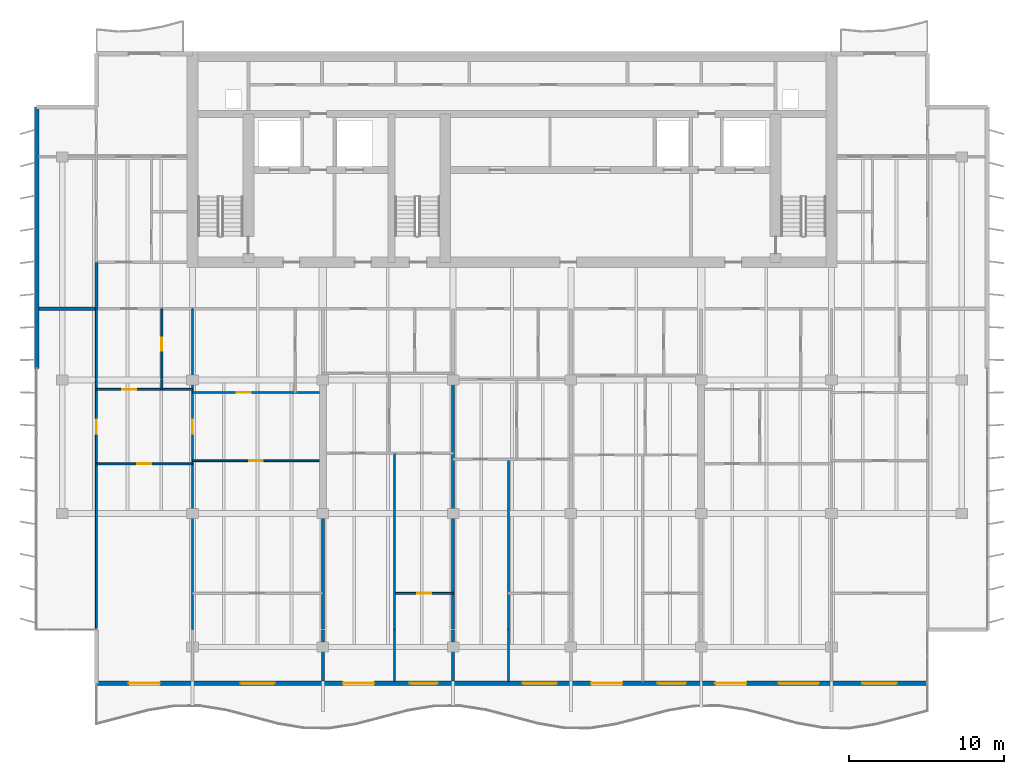
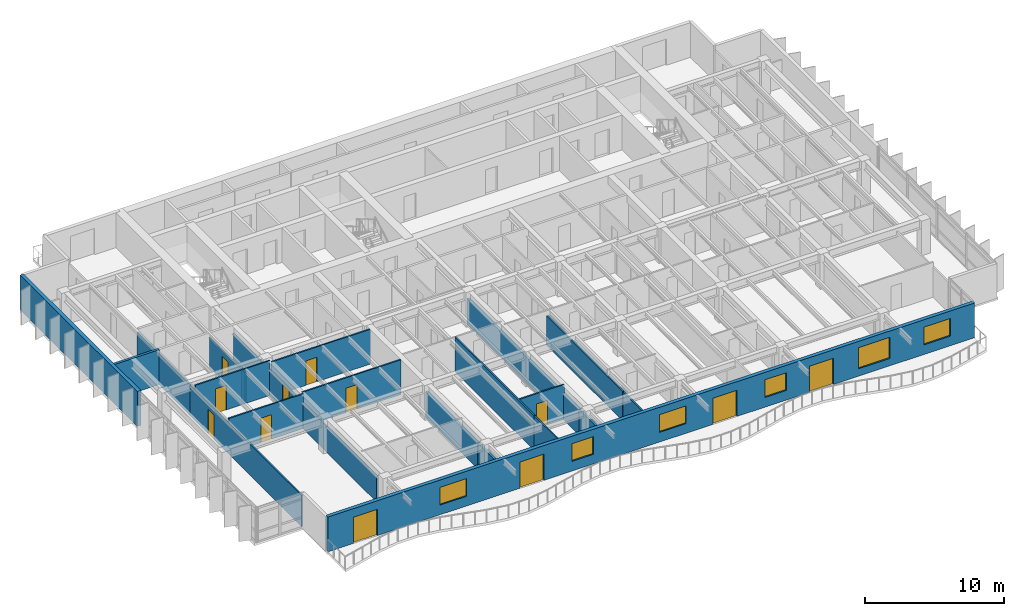
# One storey, part 6 of 16: 23 walls, 12 doors, 6 windows, 18 openings.
"""IFC4 building model written with IfcOpenShell, lengths in metres."""

import ifcopenshell
import ifcopenshell.guid

model = None  # the IFC model being written
_history = None  # IfcOwnerHistory: only IFC2X3 demands one
_inside = {}  # id of a spatial element -> (the spatial element, [elements in it])
_under = {}  # id of a project, library or spatial element -> (it, [spatial elements below it])
_declared = {}  # id of a project -> (the project, [libraries it declares])
_typed = {}  # id of a type object -> (the type object, [elements of that type])
_made_of = {}  # id of a material, layer set ... -> (it, [elements and type objects made of it])


def new_model(schema):
    """Start an empty IFC model of exactly this schema.

    Asked for "IFC4X3", IfcOpenShell would pick the latest addendum, in which some entities
    have other attributes; the version numbers below select the first issue.
    IFC2X3 requires an IfcOwnerHistory on every rooted entity: one is made here for all.
    """
    global model, _history
    if schema == "IFC4X3":
        model = ifcopenshell.file(schema_version=(4, 3, 0, 0))
    else:
        model = ifcopenshell.file(schema=schema)
    _inside.clear()
    _under.clear()
    _declared.clear()
    _typed.clear()
    _made_of.clear()
    _history = None
    if model.schema == "IFC2X3":
        org = make("IfcOrganization", Name="unknown")
        user = make(
            "IfcPersonAndOrganization",
            ThePerson=make("IfcPerson", FamilyName="unknown"),
            TheOrganization=org,
        )
        app = make(
            "IfcApplication",
            ApplicationDeveloper=org,
            Version="unknown",
            ApplicationFullName="unknown",
            ApplicationIdentifier="unknown",
        )
        _history = make(
            "IfcOwnerHistory",
            OwningUser=user,
            OwningApplication=app,
            ChangeAction="ADDED",
            CreationDate=0,
        )
    return model


def make(cls, **values):
    """One entity of the class cls with the attributes given. An attribute that is None is left unset."""
    return model.create_entity(
        cls, **{name: value for name, value in values.items() if value is not None}
    )


def rooted(cls, **values):
    """An entity with a GlobalId (a new one), such as an element, a storey or a relation."""
    return make(cls, GlobalId=ifcopenshell.guid.new(), OwnerHistory=_history, **values)


def si_unit(unit_type, name, prefix=None):
    """IfcSIUnit, for example si_unit("LENGTHUNIT", "METRE", prefix="MILLI")."""
    return make("IfcSIUnit", UnitType=unit_type, Prefix=prefix, Name=name)


def assignment(units):
    """IfcUnitAssignment: the units of a project."""
    return None if units is None else make("IfcUnitAssignment", Units=units)


def point(xyz):
    """IfcCartesianPoint."""
    return None if xyz is None else make("IfcCartesianPoint", Coordinates=xyz)


def direction(xyz):
    """IfcDirection."""
    return None if xyz is None else make("IfcDirection", DirectionRatios=xyz)


def frame(location, z_axis=None, x_axis=None):
    """IfcAxis2Placement3D, a coordinate frame: its origin and axes. An axis left out is left unset."""
    return make(
        "IfcAxis2Placement3D",
        Location=point(location),
        Axis=direction(z_axis),
        RefDirection=direction(x_axis),
    )


def frame_2d(location, x_axis=None):
    """IfcAxis2Placement2D, a coordinate frame in the plane: its origin and x axis."""
    return make(
        "IfcAxis2Placement2D", Location=point(location), RefDirection=direction(x_axis)
    )


def origin():
    """The frame at (0, 0, 0) with its axes left unset."""
    return frame((0.0, 0.0, 0.0))


def place(relative_to, where):
    """IfcLocalPlacement: puts the frame where relative to a parent placement (None: the world)."""
    return make(
        "IfcLocalPlacement", PlacementRelTo=relative_to, RelativePlacement=where
    )


def context(
    kind, dimensions, precision=None, world=None, true_north=None, identifier=None
):
    """IfcGeometricRepresentationContext, for example the 3D "Model" context."""
    return make(
        "IfcGeometricRepresentationContext",
        ContextIdentifier=identifier,
        ContextType=kind,
        CoordinateSpaceDimension=dimensions,
        Precision=precision,
        WorldCoordinateSystem=world,
        TrueNorth=true_north,
    )


def subcontext(parent, identifier, kind, view, scale=None):
    """IfcGeometricRepresentationSubContext, for example "Body" below "Model"."""
    return make(
        "IfcGeometricRepresentationSubContext",
        ContextIdentifier=identifier,
        ContextType=kind,
        ParentContext=parent,
        TargetScale=scale,
        TargetView=view,
    )


def project(units=None, contexts=None):
    """IfcProject with its units and contexts."""
    return rooted(
        "IfcProject",
        Name="project",
        RepresentationContexts=contexts,
        UnitsInContext=assignment(units),
    )


def spatial(cls, under=None, at=None, **own):
    """A site, building, storey or space (cls), placed at a placement, below another one or the project."""
    s = rooted(cls, ObjectPlacement=at, **own)
    if under is not None:
        _under.setdefault(under.id(), (under, []))[1].append(s)
    return s


def profile(cls, at=None, kind="AREA", **sizes):
    """A parametric profile (cls). Its sizes go by their IFC names, for example OverallWidth=200.0."""
    return make(cls, ProfileType=kind, Position=at, **sizes)


def rectangle(**sizes):
    """IfcRectangleProfileDef."""
    return profile("IfcRectangleProfileDef", **sizes)


def extrude(swept, where, along, depth):
    """IfcExtrudedAreaSolid: the profile swept, set in the frame where, extruded along a direction by depth."""
    return make(
        "IfcExtrudedAreaSolid",
        SweptArea=swept,
        Position=where,
        ExtrudedDirection=direction(along),
        Depth=depth,
    )


def shape(context_of_items, identifier, shape_type, items):
    """IfcShapeRepresentation: the items that make up one representation, for example the "Body"."""
    return make(
        "IfcShapeRepresentation",
        ContextOfItems=context_of_items,
        RepresentationIdentifier=identifier,
        RepresentationType=shape_type,
        Items=items,
    )


def material(Name=None, Category=None):
    """IfcMaterial."""
    return make("IfcMaterial", Name=Name, Category=Category)


def layer(
    of_material, thickness, ventilated=None, Name=None, Category=None, Priority=None
):
    """IfcMaterialLayer: one layer of a wall or slab, of a material (None: an air gap)."""
    return make(
        "IfcMaterialLayer",
        Material=of_material,
        LayerThickness=thickness,
        IsVentilated=ventilated,
        Name=Name,
        Category=Category,
        Priority=Priority,
    )


def layer_set(layers, Name=None):
    """IfcMaterialLayerSet."""
    return make("IfcMaterialLayerSet", MaterialLayers=layers, LayerSetName=Name)


def made_of(thing, what):
    """Note that an element or type object is made of a material, layer set ...; save() writes the relation."""
    if what is not None:
        _made_of.setdefault(what.id(), (what, []))[1].append(thing)
    return thing


def type_object(cls, material=None, **own):
    """A type object (cls), such as IfcWallType, which elements share."""
    return made_of(rooted(cls, **own), material)


def element(
    cls,
    number,
    at=None,
    inside=None,
    cuts=None,
    type_object=None,
    material=None,
    context=None,
    identifier="Body",
    shape_type=None,
    held_by="IfcProductDefinitionShape",
    body=None,
    shapes=None,
    **own,
):
    """One element of the class cls, such as IfcWall. Its Tag is "e" and its number.

    at: its placement. inside: the storey or other place that contains it. cuts: it is an
    opening in that element (IfcRelVoidsElement). A single representation is given by context,
    identifier, shape_type and body (its items); several are given by shapes. held_by: the class
    of the entity that holds the representations. save() writes the other relations.
    """
    e = rooted(cls, Tag="e%d" % number, ObjectPlacement=at, **own)
    if body is not None:
        shapes = [shape(context, identifier, shape_type, body)]
    if shapes is not None:
        e.Representation = make(held_by, Representations=shapes)
    if inside is not None:
        _inside.setdefault(inside.id(), (inside, []))[1].append(e)
    if cuts is not None:
        rooted(
            "IfcRelVoidsElement", RelatingBuildingElement=cuts, RelatedOpeningElement=e
        )
    if type_object is not None:
        _typed.setdefault(type_object.id(), (type_object, []))[1].append(e)
    return made_of(e, material)


def fill(opening, filler):
    """IfcRelFillsElement: the door or window that sits in an opening."""
    return rooted(
        "IfcRelFillsElement",
        RelatingOpeningElement=opening,
        RelatedBuildingElement=filler,
    )


def aggregate(whole, parts):
    """IfcRelAggregates: a whole, such as a stair, and the parts it consists of."""
    return rooted("IfcRelAggregates", RelatingObject=whole, RelatedObjects=parts)


def save(model, path):
    """Write the relations noted so far, then the file.

    IfcRelAggregates (storeys below a building ...), IfcRelContainedInSpatialStructure (elements
    in a storey), IfcRelDefinesByType, IfcRelAssociatesMaterial and IfcRelDeclares: one each for
    every whole, place, type object, material and project.
    """
    for whole, parts in _under.values():
        aggregate(whole, parts)
    for where, things in _inside.values():
        rooted(
            "IfcRelContainedInSpatialStructure",
            RelatedElements=things,
            RelatingStructure=where,
        )
    for kind, things in _typed.values():
        rooted("IfcRelDefinesByType", RelatedObjects=things, RelatingType=kind)
    for what, things in _made_of.values():
        rooted("IfcRelAssociatesMaterial", RelatedObjects=things, RelatingMaterial=what)
    for by, libraries in _declared.values():
        rooted("IfcRelDeclares", RelatingContext=by, RelatedDefinitions=libraries)
    model.write(path)


model = new_model("IFC4")

# Units and contexts
model_context = context("Model", 3, precision=1e-05, world=origin(), true_north=direction((0.0, 1.0)))
body_context = subcontext(model_context, "Body", "Model", "MODEL_VIEW")
ifc_project = project(units=[si_unit("LENGTHUNIT", "METRE"), si_unit("AREAUNIT", "SQUARE_METRE"), si_unit("VOLUMEUNIT", "CUBIC_METRE"), si_unit("PLANEANGLEUNIT", "RADIAN"), si_unit("MASSUNIT", "GRAM", prefix="KILO")], contexts=[model_context])

# Site, building, storey
site_placement = place(None, origin())
site = spatial("IfcSite", under=ifc_project, at=site_placement, CompositionType="ELEMENT")
building_placement = place(site_placement, origin())
building = spatial("IfcBuilding", under=site, at=building_placement, Name="Caelmar Bay Residences", CompositionType="ELEMENT")
storey_placement = place(building_placement, frame((0.0, 0.0, 233.10009765625)))
storey = spatial("IfcBuildingStorey", under=building, at=storey_placement, Name="L65", CompositionType="ELEMENT", Elevation=233.10009765625)

# Wall
ifc_material_1 = material(Name="Double-stud acoustic fire-rated gypsum partition 180 mm")
ifc_layer_1 = layer(ifc_material_1, 0.179931640625)
ifc_layer_set_1 = layer_set([ifc_layer_1], Name="Double-stud acoustic fire-rated gypsum partition 180 mm")
wall_type_1 = type_object("IfcWallType", Name="W-COR-200", PredefinedType="PARTITIONING", material=ifc_layer_set_1)
wall_1_placement = place(storey_placement, frame((12.10009765625, 34.0048828125, 0.0), z_axis=(0.0, 0.0, 1.0), x_axis=(0.0, 1.0, 0.0)))
element("IfcWall", 1, at=wall_1_placement, inside=storey, type_object=wall_type_1, Name="L65 Partition Wall V003", PredefinedType="PARTITIONING", context=body_context, shape_type="SweptSolid", body=[
    extrude(rectangle(XDim=2.9951171875, YDim=0.179931640625, at=frame_2d((1.49755859375, 0.0))), origin(), (0.0, 0.0, 1.0), 2.724853515625),
])

# Wall, openings, doors, windows
ifc_material_2 = material(Name="Precast concrete f'c 40 MPa (6,000 psi)", Category="concrete")
ifc_layer_2 = layer(ifc_material_2, 0.300048828125)
ifc_layer_set_2 = layer_set([ifc_layer_2], Name="Precast concrete f'c 40 MPa (6,000 psi)")
wall_type_2 = type_object("IfcWallType", Name="W-EXT-300", PredefinedType="STANDARD", material=ifc_layer_set_2)
wall_2_placement = place(storey_placement, frame((65.699951171875, 9.85009765625, 0.0), z_axis=(0.0, 0.0, 1.0), x_axis=(-1.0, 0.0, 0.0)))
wall_2 = element("IfcWall", 2, at=wall_2_placement, inside=storey, type_object=wall_type_2, Name="L65 South Bayfront Exterior Wall", PredefinedType="STANDARD", context=body_context, shape_type="SweptSolid", body=[
    extrude(rectangle(XDim=53.599853515625, YDim=0.300048828125, at=frame_2d((26.7998046875, 0.0))), origin(), (0.0, 0.0, 1.0), 3.0498046875),
])
opening_1_placement = place(wall_2_placement, frame((49.5, 0.0, 0.0)))
opening_1 = element("IfcOpeningElement", 3, at=opening_1_placement, cuts=wall_2, Name="Opening L65-BD01", PredefinedType="OPENING", context=body_context, shape_type="SweptSolid", body=[
    extrude(rectangle(XDim=2.0, YDim=2.300048828125, at=frame_2d((1.0, 1.14990234375))), frame((0.0, 0.159912109375, 0.0), z_axis=(0.0, -1.0, 0.0), x_axis=(1.0, 0.0, 0.0)), (0.0, 0.0, 1.0), 0.320068359375),
])
opening_2_placement = place(wall_2_placement, frame((42.10009765625, 0.0, 0.85009765625)))
opening_2 = element("IfcOpeningElement", 4, at=opening_2_placement, cuts=wall_2, Name="Opening WN2", PredefinedType="OPENING", context=body_context, shape_type="SweptSolid", body=[
    extrude(rectangle(XDim=2.199951171875, YDim=1.550048828125, at=frame_2d((1.10009765625, 0.77490234375))), frame((0.0, 0.159912109375, 0.0), z_axis=(0.0, -1.0, 0.0), x_axis=(1.0, 0.0, 0.0)), (0.0, 0.0, 1.0), 0.320068359375),
])
opening_3_placement = place(wall_2_placement, frame((35.68994140625, 0.0, 0.0)))
opening_3 = element("IfcOpeningElement", 5, at=opening_3_placement, cuts=wall_2, Name="Opening L65-BD02", PredefinedType="OPENING", context=body_context, shape_type="SweptSolid", body=[
    extrude(rectangle(XDim=2.0, YDim=2.300048828125, at=frame_2d((1.0, 1.14990234375))), frame((0.0, 0.159912109375, 0.0), z_axis=(0.0, -1.0, 0.0), x_axis=(1.0, 0.0, 0.0)), (0.0, 0.0, 1.0), 0.320068359375),
])
opening_4_placement = place(wall_2_placement, frame((31.590087890625, 0.0, 0.85009765625)))
opening_4 = element("IfcOpeningElement", 6, at=opening_4_placement, cuts=wall_2, Name="Opening WN1", PredefinedType="OPENING", context=body_context, shape_type="SweptSolid", body=[
    extrude(rectangle(XDim=1.800048828125, YDim=1.550048828125, at=frame_2d((0.89990234375, 0.77490234375))), frame((0.0, 0.159912109375, 0.0), z_axis=(0.0, -1.0, 0.0), x_axis=(1.0, 0.0, 0.0)), (0.0, 0.0, 1.0), 0.320068359375),
])
opening_5_placement = place(wall_2_placement, frame((23.9140625, 0.0, 0.85009765625)))
opening_5 = element("IfcOpeningElement", 7, at=opening_5_placement, cuts=wall_2, Name="Opening WN2", PredefinedType="OPENING", context=body_context, shape_type="SweptSolid", body=[
    extrude(rectangle(XDim=2.199951171875, YDim=1.550048828125, at=frame_2d((1.10009765625, 0.77490234375))), frame((0.0, 0.159912109375, 0.0), z_axis=(0.0, -1.0, 0.0), x_axis=(1.0, 0.0, 0.0)), (0.0, 0.0, 1.0), 0.320068359375),
])
opening_6_placement = place(wall_2_placement, frame((19.68994140625, 0.0, 0.0)))
opening_6 = element("IfcOpeningElement", 8, at=opening_6_placement, cuts=wall_2, Name="Opening L65-BD03", PredefinedType="OPENING", context=body_context, shape_type="SweptSolid", body=[
    extrude(rectangle(XDim=2.0, YDim=2.300048828125, at=frame_2d((1.0, 1.14990234375))), frame((0.0, 0.159912109375, 0.0), z_axis=(0.0, -1.0, 0.0), x_axis=(1.0, 0.0, 0.0)), (0.0, 0.0, 1.0), 0.320068359375),
])
opening_7_placement = place(wall_2_placement, frame((15.590087890625, 0.0, 0.85009765625)))
opening_7 = element("IfcOpeningElement", 9, at=opening_7_placement, cuts=wall_2, Name="Opening WN1", PredefinedType="OPENING", context=body_context, shape_type="SweptSolid", body=[
    extrude(rectangle(XDim=1.800048828125, YDim=1.550048828125, at=frame_2d((0.89990234375, 0.77490234375))), frame((0.0, 0.159912109375, 0.0), z_axis=(0.0, -1.0, 0.0), x_axis=(1.0, 0.0, 0.0)), (0.0, 0.0, 1.0), 0.320068359375),
])
opening_8_placement = place(wall_2_placement, frame((11.68994140625, 0.0, 0.0)))
opening_8 = element("IfcOpeningElement", 10, at=opening_8_placement, cuts=wall_2, Name="Opening L65-BD04", PredefinedType="OPENING", context=body_context, shape_type="SweptSolid", body=[
    extrude(rectangle(XDim=2.0, YDim=2.300048828125, at=frame_2d((1.0, 1.14990234375))), frame((0.0, 0.159912109375, 0.0), z_axis=(0.0, -1.0, 0.0), x_axis=(1.0, 0.0, 0.0)), (0.0, 0.0, 1.0), 0.320068359375),
])
opening_9_placement = place(wall_2_placement, frame((7.010009765625, 0.0, 0.64990234375)))
opening_9 = element("IfcOpeningElement", 11, at=opening_9_placement, cuts=wall_2, Name="Opening WN3", PredefinedType="OPENING", context=body_context, shape_type="SweptSolid", body=[
    extrude(rectangle(XDim=2.60009765625, YDim=1.85009765625, at=frame_2d((1.300048828125, 0.925048828125))), frame((0.0, 0.159912109375, 0.0), z_axis=(0.0, -1.0, 0.0), x_axis=(1.0, 0.0, 0.0)), (0.0, 0.0, 1.0), 0.320068359375),
])
opening_10_placement = place(wall_2_placement, frame((2.0, 0.0, 0.85009765625)))
opening_10 = element("IfcOpeningElement", 12, at=opening_10_placement, cuts=wall_2, Name="Opening WN2", PredefinedType="OPENING", context=body_context, shape_type="SweptSolid", body=[
    extrude(rectangle(XDim=2.199951171875, YDim=1.550048828125, at=frame_2d((1.10009765625, 0.77490234375))), frame((0.0, 0.159912109375, 0.0), z_axis=(0.0, -1.0, 0.0), x_axis=(1.0, 0.0, 0.0)), (0.0, 0.0, 1.0), 0.320068359375),
])
ifc_material_3 = material(Name="Anodised bronze thermally broken sliding glass door", Category="glass")
ifc_layer_3 = layer(ifc_material_3, 0.050048828125)
ifc_layer_set_3 = layer_set([ifc_layer_3], Name="Anodised bronze thermally broken sliding glass door")
door_type_1 = type_object("IfcDoorType", Name="D-BAL-2000", OperationType="DOUBLE_DOOR_SLIDING", PredefinedType="DOOR", material=ifc_layer_set_3)
door_1_placement = place(opening_1_placement, origin())
door_1 = element("IfcDoor", 13, at=door_1_placement, inside=storey, type_object=door_type_1, Name="L65 Residence 01 Penthouse Living Salon Balcony Door", OperationType="DOUBLE_DOOR_SLIDING", OverallHeight=2.300048828125, OverallWidth=2.0, PredefinedType="DOOR", context=body_context, shape_type="SweptSolid", body=[
    extrude(rectangle(XDim=2.0, YDim=2.300048828125, at=frame_2d((1.0, 1.14990234375))), frame((0.0, 0.02490234375, 0.0), z_axis=(0.0, -1.0, 0.0), x_axis=(1.0, 0.0, 0.0)), (0.0, 0.0, 1.0), 0.050048828125),
])
fill(opening_1, door_1)
door_2_placement = place(opening_3_placement, origin())
door_2 = element("IfcDoor", 14, at=door_2_placement, inside=storey, type_object=door_type_1, Name="L65 Residence 02 Living Room Balcony Door", OperationType="DOUBLE_DOOR_SLIDING", OverallHeight=2.300048828125, OverallWidth=2.0, PredefinedType="DOOR", context=body_context, shape_type="SweptSolid", body=[
    extrude(rectangle(XDim=2.0, YDim=2.300048828125, at=frame_2d((1.0, 1.14990234375))), frame((0.0, 0.02490234375, 0.0), z_axis=(0.0, -1.0, 0.0), x_axis=(1.0, 0.0, 0.0)), (0.0, 0.0, 1.0), 0.050048828125),
])
fill(opening_3, door_2)
door_3_placement = place(opening_6_placement, origin())
door_3 = element("IfcDoor", 15, at=door_3_placement, inside=storey, type_object=door_type_1, Name="L65 Residence 04 Living Room Balcony Door", OperationType="DOUBLE_DOOR_SLIDING", OverallHeight=2.300048828125, OverallWidth=2.0, PredefinedType="DOOR", context=body_context, shape_type="SweptSolid", body=[
    extrude(rectangle(XDim=2.0, YDim=2.300048828125, at=frame_2d((1.0, 1.14990234375))), frame((0.0, 0.02490234375, 0.0), z_axis=(0.0, -1.0, 0.0), x_axis=(1.0, 0.0, 0.0)), (0.0, 0.0, 1.0), 0.050048828125),
])
fill(opening_6, door_3)
door_4_placement = place(opening_8_placement, origin())
door_4 = element("IfcDoor", 16, at=door_4_placement, inside=storey, type_object=door_type_1, Name="L65 Residence 05 Penthouse Living Salon Balcony Door", OperationType="DOUBLE_DOOR_SLIDING", OverallHeight=2.300048828125, OverallWidth=2.0, PredefinedType="DOOR", context=body_context, shape_type="SweptSolid", body=[
    extrude(rectangle(XDim=2.0, YDim=2.300048828125, at=frame_2d((1.0, 1.14990234375))), frame((0.0, 0.02490234375, 0.0), z_axis=(0.0, -1.0, 0.0), x_axis=(1.0, 0.0, 0.0)), (0.0, 0.0, 1.0), 0.050048828125),
])
fill(opening_8, door_4)
ifc_material_4 = material(Name="Bronze aluminium frame with laminated low-E glass", Category="aluminium")
ifc_layer_4 = layer(ifc_material_4, 0.06005859375)
ifc_layer_set_4 = layer_set([ifc_layer_4], Name="Bronze aluminium frame with laminated low-E glass")
window_type_1 = type_object("IfcWindowType", Name="WIN-BR-1800", PartitioningType="SINGLE_PANEL", PredefinedType="WINDOW", material=ifc_layer_set_4)
window_1_placement = place(opening_4_placement, origin())
window_1 = element("IfcWindow", 17, at=window_1_placement, inside=storey, type_object=window_type_1, Name="L65 Residence 02 Primary Bedroom Window", OverallHeight=1.550048828125, OverallWidth=1.800048828125, PartitioningType="SINGLE_PANEL", PredefinedType="WINDOW", context=body_context, shape_type="SweptSolid", body=[
    extrude(rectangle(XDim=1.800048828125, YDim=1.550048828125, at=frame_2d((0.89990234375, 0.77490234375))), frame((0.0, 0.030029296875, 0.0), z_axis=(0.0, -1.0, 0.0), x_axis=(1.0, 0.0, 0.0)), (0.0, 0.0, 1.0), 0.06005859375),
])
fill(opening_4, window_1)
window_2_placement = place(opening_7_placement, origin())
window_2 = element("IfcWindow", 18, at=window_2_placement, inside=storey, type_object=window_type_1, Name="L65 Residence 04 Primary Bedroom Window", OverallHeight=1.550048828125, OverallWidth=1.800048828125, PartitioningType="SINGLE_PANEL", PredefinedType="WINDOW", context=body_context, shape_type="SweptSolid", body=[
    extrude(rectangle(XDim=1.800048828125, YDim=1.550048828125, at=frame_2d((0.89990234375, 0.77490234375))), frame((0.0, 0.030029296875, 0.0), z_axis=(0.0, -1.0, 0.0), x_axis=(1.0, 0.0, 0.0)), (0.0, 0.0, 1.0), 0.06005859375),
])
fill(opening_7, window_2)
ifc_layer_5 = layer(ifc_material_4, 0.06005859375)
ifc_layer_set_5 = layer_set([ifc_layer_5], Name="Bronze aluminium frame with laminated low-E glass")
window_type_2 = type_object("IfcWindowType", Name="WIN-BR-2200", PartitioningType="SINGLE_PANEL", PredefinedType="WINDOW", material=ifc_layer_set_5)
window_3_placement = place(opening_2_placement, origin())
window_3 = element("IfcWindow", 19, at=window_3_placement, inside=storey, type_object=window_type_2, Name="L65 Residence 01 Primary Bedroom 1 Window", OverallHeight=1.550048828125, OverallWidth=2.199951171875, PartitioningType="SINGLE_PANEL", PredefinedType="WINDOW", context=body_context, shape_type="SweptSolid", body=[
    extrude(rectangle(XDim=2.199951171875, YDim=1.550048828125, at=frame_2d((1.10009765625, 0.77490234375))), frame((0.0, 0.030029296875, 0.0), z_axis=(0.0, -1.0, 0.0), x_axis=(1.0, 0.0, 0.0)), (0.0, 0.0, 1.0), 0.06005859375),
])
fill(opening_2, window_3)
window_4_placement = place(opening_5_placement, origin())
window_4 = element("IfcWindow", 20, at=window_4_placement, inside=storey, type_object=window_type_2, Name="L65 Residence 03 Primary Bedroom Window", OverallHeight=1.550048828125, OverallWidth=2.199951171875, PartitioningType="SINGLE_PANEL", PredefinedType="WINDOW", context=body_context, shape_type="SweptSolid", body=[
    extrude(rectangle(XDim=2.199951171875, YDim=1.550048828125, at=frame_2d((1.10009765625, 0.77490234375))), frame((0.0, 0.030029296875, 0.0), z_axis=(0.0, -1.0, 0.0), x_axis=(1.0, 0.0, 0.0)), (0.0, 0.0, 1.0), 0.06005859375),
])
fill(opening_5, window_4)
window_5_placement = place(opening_10_placement, origin())
window_5 = element("IfcWindow", 21, at=window_5_placement, inside=storey, type_object=window_type_2, Name="L65 Residence 05 Primary Bedroom 1 Window", OverallHeight=1.550048828125, OverallWidth=2.199951171875, PartitioningType="SINGLE_PANEL", PredefinedType="WINDOW", context=body_context, shape_type="SweptSolid", body=[
    extrude(rectangle(XDim=2.199951171875, YDim=1.550048828125, at=frame_2d((1.10009765625, 0.77490234375))), frame((0.0, 0.030029296875, 0.0), z_axis=(0.0, -1.0, 0.0), x_axis=(1.0, 0.0, 0.0)), (0.0, 0.0, 1.0), 0.06005859375),
])
fill(opening_10, window_5)
ifc_layer_6 = layer(ifc_material_4, 0.06005859375)
ifc_layer_set_6 = layer_set([ifc_layer_6], Name="Bronze aluminium frame with laminated low-E glass")
window_type_3 = type_object("IfcWindowType", Name="WIN-LIV-2600", PartitioningType="SINGLE_PANEL", PredefinedType="WINDOW", material=ifc_layer_set_6)
window_6_placement = place(opening_9_placement, origin())
window_6 = element("IfcWindow", 22, at=window_6_placement, inside=storey, type_object=window_type_3, Name="L65 Residence 05 Penthouse Living Salon Panoramic Window", OverallHeight=1.85009765625, OverallWidth=2.60009765625, PartitioningType="SINGLE_PANEL", PredefinedType="WINDOW", context=body_context, shape_type="SweptSolid", body=[
    extrude(rectangle(XDim=2.60009765625, YDim=1.85009765625, at=frame_2d((1.300048828125, 0.925048828125))), frame((0.0, 0.030029296875, 0.0), z_axis=(0.0, -1.0, 0.0), x_axis=(1.0, 0.0, 0.0)), (0.0, 0.0, 1.0), 0.06005859375),
])
fill(opening_9, window_6)

# Wall
wall_3_placement = place(storey_placement, frame((8.25, 30.14990234375, 0.0), z_axis=(0.0, 0.0, 1.0), x_axis=(0.0, 1.0, 0.0)))
element("IfcWall", 23, at=wall_3_placement, inside=storey, type_object=wall_type_2, Name="L65 West Rear Exterior Wall", PredefinedType="STANDARD", context=body_context, shape_type="SweptSolid", body=[
    extrude(rectangle(XDim=16.85009765625, YDim=0.300048828125, at=frame_2d((8.425048828125, 0.0))), origin(), (0.0, 0.0, 1.0), 3.0498046875),
])

# Wall, opening, door
ifc_material_5 = material(Name="Acoustic metal-stud gypsum partition 120 mm")
ifc_layer_7 = layer(ifc_material_5, 0.1201171875)
ifc_layer_set_7 = layer_set([ifc_layer_7], Name="Acoustic metal-stud gypsum partition 120 mm")
wall_type_3 = type_object("IfcWallType", Name="W-PRT-120", PredefinedType="PARTITIONING", material=ifc_layer_set_7)
wall_4_placement = place(storey_placement, frame((12.10009765625, 13.385009765625, 0.0), z_axis=(0.0, 0.0, 1.0), x_axis=(0.0, 1.0, 0.0)))
wall_4 = element("IfcWall", 24, at=wall_4_placement, inside=storey, type_object=wall_type_3, Name="L65 Partition Wall V001", PredefinedType="PARTITIONING", context=body_context, shape_type="SweptSolid", body=[
    extrude(rectangle(XDim=16.014892578125, YDim=0.1201171875, at=frame_2d((8.00732421875, 0.0))), origin(), (0.0, 0.0, 1.0), 2.724853515625),
])
opening_11_placement = place(wall_4_placement, frame((12.56494140625, 0.0, 0.0)))
opening_11 = element("IfcOpeningElement", 25, at=opening_11_placement, cuts=wall_4, Name="Opening D-L65-164", PredefinedType="OPENING", context=body_context, shape_type="SweptSolid", body=[
    extrude(rectangle(XDim=0.89990234375, YDim=2.14990234375, at=frame_2d((0.449951171875, 1.074951171875))), frame((0.0, 0.070068359375, 0.0), z_axis=(0.0, -1.0, 0.0), x_axis=(1.0, 0.0, 0.0)), (0.0, 0.0, 1.0), 0.14013671875),
])
ifc_material_6 = material(Name="Solid walnut timber interior door leaf and frame", Category="wood")
ifc_layer_8 = layer(ifc_material_6, 0.050048828125)
ifc_layer_set_8 = layer_set([ifc_layer_8], Name="Solid walnut timber interior door leaf and frame")
door_type_2 = type_object("IfcDoorType", Name="D-ROOM-900", OperationType="NOTDEFINED", PredefinedType="DOOR", material=ifc_layer_set_8)
door_5_placement = place(opening_11_placement, origin())
door_5 = element("IfcDoor", 26, at=door_5_placement, inside=storey, type_object=door_type_2, Name="L65 Residence 01 Penthouse West Salon Door", OperationType="SINGLE_SWING_LEFT", OverallHeight=2.14990234375, OverallWidth=0.89990234375, PredefinedType="DOOR", context=body_context, shape_type="SweptSolid", body=[
    extrude(rectangle(XDim=0.89990234375, YDim=2.14990234375, at=frame_2d((0.449951171875, 1.074951171875))), frame((0.0, 0.02490234375, 0.0), z_axis=(0.0, -1.0, 0.0), x_axis=(1.0, 0.0, 0.0)), (0.0, 0.0, 1.0), 0.050048828125),
])
fill(opening_11, door_5)

# Walls
wall_5_placement = place(storey_placement, frame((12.10009765625, 29.43994140625, 0.0), z_axis=(0.0, 0.0, 1.0), x_axis=(0.0, 1.0, 0.0)))
element("IfcWall", 27, at=wall_5_placement, inside=storey, type_object=wall_type_3, Name="L65 Partition Wall V002", PredefinedType="PARTITIONING", context=body_context, shape_type="SweptSolid", body=[
    extrude(rectangle(XDim=4.56005859375, YDim=0.1201171875, at=frame_2d((2.280029296875, 0.0))), origin(), (0.0, 0.0, 1.0), 2.724853515625),
])
wall_6_placement = place(storey_placement, frame((16.319091796875, 28.800048828125, 0.0), z_axis=(0.0, 0.0, 1.0), x_axis=(0.0, 1.0, 0.0)))
element("IfcWall", 28, at=wall_6_placement, inside=storey, type_object=wall_type_3, Name="L65 Partition Wall V006", PredefinedType="PARTITIONING", context=body_context, shape_type="SweptSolid", body=[
    extrude(rectangle(XDim=0.599853515625, YDim=0.1201171875, at=frame_2d((0.2998046875, 0.0))), origin(), (0.0, 0.0, 1.0), 2.62890625),
])

# Wall, opening, door
wall_7_placement = place(storey_placement, frame((16.319091796875, 29.43994140625, 0.0), z_axis=(0.0, 0.0, 1.0), x_axis=(0.0, 1.0, 0.0)))
wall_7 = element("IfcWall", 29, at=wall_7_placement, inside=storey, type_object=wall_type_3, Name="L65 Partition Wall V007", PredefinedType="PARTITIONING", context=body_context, shape_type="SweptSolid", body=[
    extrude(rectangle(XDim=4.56005859375, YDim=0.1201171875, at=frame_2d((2.280029296875, 0.0))), origin(), (0.0, 0.0, 1.0), 2.62890625),
])
opening_12_placement = place(wall_7_placement, frame((1.85498046875, 0.0, 0.0)))
opening_12 = element("IfcOpeningElement", 30, at=opening_12_placement, cuts=wall_7, Name="Opening D-L65-125", PredefinedType="OPENING", context=body_context, shape_type="SweptSolid", body=[
    extrude(rectangle(XDim=0.85009765625, YDim=2.10009765625, at=frame_2d((0.425048828125, 1.050048828125))), frame((0.0, 0.070068359375, 0.0), z_axis=(0.0, -1.0, 0.0), x_axis=(1.0, 0.0, 0.0)), (0.0, 0.0, 1.0), 0.14013671875),
])
ifc_layer_9 = layer(ifc_material_6, 0.050048828125)
ifc_layer_set_9 = layer_set([ifc_layer_9], Name="Solid walnut timber interior door leaf and frame")
door_type_3 = type_object("IfcDoorType", Name="D-BATH-850", OperationType="NOTDEFINED", PredefinedType="DOOR", material=ifc_layer_set_9)
door_6_placement = place(opening_12_placement, origin())
door_6 = element("IfcDoor", 31, at=door_6_placement, inside=storey, type_object=door_type_3, Name="L65 Residence 01 Guest Bathroom Door", OperationType="SINGLE_SWING_RIGHT", OverallHeight=2.10009765625, OverallWidth=0.85009765625, PredefinedType="DOOR", context=body_context, shape_type="SweptSolid", body=[
    extrude(rectangle(XDim=0.85009765625, YDim=2.10009765625, at=frame_2d((0.425048828125, 1.050048828125))), frame((0.0, 0.02490234375, 0.0), z_axis=(0.0, -1.0, 0.0), x_axis=(1.0, 0.0, 0.0)), (0.0, 0.0, 1.0), 0.050048828125),
])
fill(opening_12, door_6)

wall_8_placement = place(storey_placement, frame((18.300048828125, 13.340087890625, 0.0), z_axis=(0.0, 0.0, 1.0), x_axis=(0.0, 1.0, 0.0)))
wall_8 = element("IfcWall", 32, at=wall_8_placement, inside=storey, type_object=wall_type_3, Name="L65 Partition Wall V009", PredefinedType="PARTITIONING", context=body_context, shape_type="SweptSolid", body=[
    extrude(rectangle(XDim=16.059814453125, YDim=0.1201171875, at=frame_2d((8.02978515625, 0.0))), origin(), (0.0, 0.0, 1.0), 2.262939453125),
])
opening_13_placement = place(wall_8_placement, frame((12.610107421875, 0.0, 0.0)))
opening_13 = element("IfcOpeningElement", 33, at=opening_13_placement, cuts=wall_8, Name="Opening D-L65-128", PredefinedType="OPENING", context=body_context, shape_type="SweptSolid", body=[
    extrude(rectangle(XDim=0.89990234375, YDim=2.14990234375, at=frame_2d((0.449951171875, 1.074951171875))), frame((0.0, 0.070068359375, 0.0), z_axis=(0.0, -1.0, 0.0), x_axis=(1.0, 0.0, 0.0)), (0.0, 0.0, 1.0), 0.14013671875),
])
door_7_placement = place(opening_13_placement, origin())
door_7 = element("IfcDoor", 34, at=door_7_placement, inside=storey, type_object=door_type_2, Name="L65 Residence 01 Library Study 1 Door", OperationType="SINGLE_SWING_LEFT", OverallHeight=2.14990234375, OverallWidth=0.89990234375, PredefinedType="DOOR", context=body_context, shape_type="SweptSolid", body=[
    extrude(rectangle(XDim=0.89990234375, YDim=2.14990234375, at=frame_2d((0.449951171875, 1.074951171875))), frame((0.0, 0.02490234375, 0.0), z_axis=(0.0, -1.0, 0.0), x_axis=(1.0, 0.0, 0.0)), (0.0, 0.0, 1.0), 0.050048828125),
])
fill(opening_13, door_7)

# Walls
wall_9_placement = place(storey_placement, frame((18.300048828125, 29.43994140625, 0.0), z_axis=(0.0, 0.0, 1.0), x_axis=(0.0, 1.0, 0.0)))
element("IfcWall", 35, at=wall_9_placement, inside=storey, type_object=wall_type_3, Name="L65 Partition Wall V010", PredefinedType="PARTITIONING", context=body_context, shape_type="SweptSolid", body=[
    extrude(rectangle(XDim=4.56005859375, YDim=0.1201171875, at=frame_2d((2.280029296875, 0.0))), origin(), (0.0, 0.0, 1.0), 2.262939453125),
])
wall_10_placement = place(storey_placement, frame((31.320068359375, 9.9951171875, 0.0), z_axis=(0.0, 0.0, 1.0), x_axis=(0.0, 1.0, 0.0)))
element("IfcWall", 36, at=wall_10_placement, inside=storey, type_object=wall_type_3, Name="L65 Partition Wall V023", PredefinedType="PARTITIONING", context=body_context, shape_type="SweptSolid", body=[
    extrude(rectangle(XDim=3.304931640625, YDim=0.1201171875, at=frame_2d((1.65234375, 0.0))), origin(), (0.0, 0.0, 1.0), 3.0498046875),
])
wall_11_placement = place(storey_placement, frame((31.320068359375, 13.340087890625, 0.0), z_axis=(0.0, 0.0, 1.0), x_axis=(0.0, 1.0, 0.0)))
element("IfcWall", 37, at=wall_11_placement, inside=storey, type_object=wall_type_3, Name="L65 Partition Wall V024", PredefinedType="PARTITIONING", context=body_context, shape_type="SweptSolid", body=[
    extrude(rectangle(XDim=11.349853515625, YDim=0.1201171875, at=frame_2d((5.6748046875, 0.0))), origin(), (0.0, 0.0, 1.0), 3.0498046875),
])
wall_12_placement = place(storey_placement, frame((38.672119140625, 9.9951171875, 0.0), z_axis=(0.0, 0.0, 1.0), x_axis=(0.0, 1.0, 0.0)))
element("IfcWall", 38, at=wall_12_placement, inside=storey, type_object=wall_type_3, Name="L65 Partition Wall V031", PredefinedType="PARTITIONING", context=body_context, shape_type="SweptSolid", body=[
    extrude(rectangle(XDim=3.304931640625, YDim=0.1201171875, at=frame_2d((1.65234375, 0.0))), origin(), (0.0, 0.0, 1.0), 2.577880859375),
])
wall_13_placement = place(storey_placement, frame((38.672119140625, 13.340087890625, 0.0), z_axis=(0.0, 0.0, 1.0), x_axis=(0.0, 1.0, 0.0)))
element("IfcWall", 39, at=wall_13_placement, inside=storey, type_object=wall_type_3, Name="L65 Partition Wall V032", PredefinedType="PARTITIONING", context=body_context, shape_type="SweptSolid", body=[
    extrude(rectangle(XDim=10.949951171875, YDim=0.1201171875, at=frame_2d((5.47509765625, 0.0))), origin(), (0.0, 0.0, 1.0), 2.577880859375),
])

# Wall, opening, door
wall_14_placement = place(storey_placement, frame((31.39990234375, 15.64990234375, 0.0), z_axis=(0.0, 0.0, 1.0), x_axis=(1.0, 0.0, 0.0)))
wall_14 = element("IfcWall", 40, at=wall_14_placement, inside=storey, type_object=wall_type_3, Name="L65 Partition Wall H068", PredefinedType="PARTITIONING", context=body_context, shape_type="SweptSolid", body=[
    extrude(rectangle(XDim=3.7001953125, YDim=0.1201171875, at=frame_2d((1.85009765625, 0.0))), origin(), (0.0, 0.0, 1.0), 3.0498046875),
])
opening_14_placement = place(wall_14_placement, frame((1.39990234375, 0.0, 0.0)))
opening_14 = element("IfcOpeningElement", 41, at=opening_14_placement, cuts=wall_14, Name="Opening D-L65-139", PredefinedType="OPENING", context=body_context, shape_type="SweptSolid", body=[
    extrude(rectangle(XDim=0.89990234375, YDim=2.14990234375, at=frame_2d((0.449951171875, 1.074951171875))), frame((0.0, 0.070068359375, 0.0), z_axis=(0.0, -1.0, 0.0), x_axis=(1.0, 0.0, 0.0)), (0.0, 0.0, 1.0), 0.14013671875),
])
door_8_placement = place(opening_14_placement, origin())
door_8 = element("IfcDoor", 42, at=door_8_placement, inside=storey, type_object=door_type_2, Name="L65 Residence 02 Primary Bedroom Door", OperationType="SINGLE_SWING_RIGHT", OverallHeight=2.14990234375, OverallWidth=0.89990234375, PredefinedType="DOOR", context=body_context, shape_type="SweptSolid", body=[
    extrude(rectangle(XDim=0.89990234375, YDim=2.14990234375, at=frame_2d((0.449951171875, 1.074951171875))), frame((0.0, 0.02490234375, 0.0), z_axis=(0.0, -1.0, 0.0), x_axis=(1.0, 0.0, 0.0)), (0.0, 0.0, 1.0), 0.050048828125),
])
fill(opening_14, door_8)

wall_15_placement = place(storey_placement, frame((12.10009765625, 24.0, 0.0), z_axis=(0.0, 0.0, 1.0), x_axis=(1.0, 0.0, 0.0)))
wall_15 = element("IfcWall", 43, at=wall_15_placement, inside=storey, type_object=wall_type_3, Name="L65 Partition Wall H072", PredefinedType="PARTITIONING", context=body_context, shape_type="SweptSolid", body=[
    extrude(rectangle(XDim=6.199951171875, YDim=0.1201171875, at=frame_2d((3.10009765625, 0.0))), origin(), (0.0, 0.0, 1.0), 3.0498046875),
])
opening_15_placement = place(wall_15_placement, frame((2.64990234375, 0.0, 0.0)))
opening_15 = element("IfcOpeningElement", 44, at=opening_15_placement, cuts=wall_15, Name="Opening D-L65-127", PredefinedType="OPENING", context=body_context, shape_type="SweptSolid", body=[
    extrude(rectangle(XDim=0.89990234375, YDim=2.14990234375, at=frame_2d((0.449951171875, 1.074951171875))), frame((0.0, 0.070068359375, 0.0), z_axis=(0.0, -1.0, 0.0), x_axis=(1.0, 0.0, 0.0)), (0.0, 0.0, 1.0), 0.14013671875),
])
door_9_placement = place(opening_15_placement, origin())
door_9 = element("IfcDoor", 45, at=door_9_placement, inside=storey, type_object=door_type_2, Name="L65 Residence 01 Penthouse Living Salon Door", OperationType="SINGLE_SWING_RIGHT", OverallHeight=2.14990234375, OverallWidth=0.89990234375, PredefinedType="DOOR", context=body_context, shape_type="SweptSolid", body=[
    extrude(rectangle(XDim=0.89990234375, YDim=2.14990234375, at=frame_2d((0.449951171875, 1.074951171875))), frame((0.0, 0.02490234375, 0.0), z_axis=(0.0, -1.0, 0.0), x_axis=(1.0, 0.0, 0.0)), (0.0, 0.0, 1.0), 0.050048828125),
])
fill(opening_15, door_9)

wall_16_placement = place(storey_placement, frame((18.304931640625, 24.199951171875, 0.0), z_axis=(0.0, 0.0, 1.0), x_axis=(1.0, 0.0, 0.0)))
wall_16 = element("IfcWall", 46, at=wall_16_placement, inside=storey, type_object=wall_type_3, Name="L65 Partition Wall H074", PredefinedType="PARTITIONING", context=body_context, shape_type="SweptSolid", body=[
    extrude(rectangle(XDim=8.175048828125, YDim=0.1201171875, at=frame_2d((4.08740234375, 0.0))), origin(), (0.0, 0.0, 1.0), 3.0498046875),
])
opening_16_placement = place(wall_16_placement, frame((3.637451171875, 0.0, 0.0)))
opening_16 = element("IfcOpeningElement", 47, at=opening_16_placement, cuts=wall_16, Name="Opening D-L65-131", PredefinedType="OPENING", context=body_context, shape_type="SweptSolid", body=[
    extrude(rectangle(XDim=0.89990234375, YDim=2.14990234375, at=frame_2d((0.449951171875, 1.074951171875))), frame((0.0, 0.070068359375, 0.0), z_axis=(0.0, -1.0, 0.0), x_axis=(1.0, 0.0, 0.0)), (0.0, 0.0, 1.0), 0.14013671875),
])
door_10_placement = place(opening_16_placement, origin())
door_10 = element("IfcDoor", 48, at=door_10_placement, inside=storey, type_object=door_type_2, Name="L65 Residence 01 Penthouse Sitting Salon 1 Door", OperationType="SINGLE_SWING_RIGHT", OverallHeight=2.14990234375, OverallWidth=0.89990234375, PredefinedType="DOOR", context=body_context, shape_type="SweptSolid", body=[
    extrude(rectangle(XDim=0.89990234375, YDim=2.14990234375, at=frame_2d((0.449951171875, 1.074951171875))), frame((0.0, 0.02490234375, 0.0), z_axis=(0.0, -1.0, 0.0), x_axis=(1.0, 0.0, 0.0)), (0.0, 0.0, 1.0), 0.050048828125),
])
fill(opening_16, door_10)

wall_17_placement = place(storey_placement, frame((18.300048828125, 28.60009765625, 0.0), z_axis=(0.0, 0.0, 1.0), x_axis=(1.0, 0.0, 0.0)))
wall_17 = element("IfcWall", 49, at=wall_17_placement, inside=storey, type_object=wall_type_3, Name="L65 Partition Wall H080", PredefinedType="PARTITIONING", context=body_context, shape_type="SweptSolid", body=[
    extrude(rectangle(XDim=8.179931640625, YDim=0.1201171875, at=frame_2d((4.08984375, 0.0))), origin(), (0.0, 0.0, 1.0), 3.0498046875),
])
opening_17_placement = place(wall_17_placement, frame((2.861083984375, 0.0, 0.0)))
opening_17 = element("IfcOpeningElement", 50, at=opening_17_placement, cuts=wall_17, Name="Opening D-L65-129", PredefinedType="OPENING", context=body_context, shape_type="SweptSolid", body=[
    extrude(rectangle(XDim=0.89990234375, YDim=2.14990234375, at=frame_2d((0.449951171875, 1.074951171875))), frame((0.0, 0.070068359375, 0.0), z_axis=(0.0, -1.0, 0.0), x_axis=(1.0, 0.0, 0.0)), (0.0, 0.0, 1.0), 0.14013671875),
])
door_11_placement = place(opening_17_placement, origin())
door_11 = element("IfcDoor", 51, at=door_11_placement, inside=storey, type_object=door_type_2, Name="L65 Residence 01 Home Office 1 Door", OperationType="SINGLE_SWING_RIGHT", OverallHeight=2.14990234375, OverallWidth=0.89990234375, PredefinedType="DOOR", context=body_context, shape_type="SweptSolid", body=[
    extrude(rectangle(XDim=0.89990234375, YDim=2.14990234375, at=frame_2d((0.449951171875, 1.074951171875))), frame((0.0, 0.02490234375, 0.0), z_axis=(0.0, -1.0, 0.0), x_axis=(1.0, 0.0, 0.0)), (0.0, 0.0, 1.0), 0.050048828125),
])
fill(opening_17, door_11)

wall_18_placement = place(storey_placement, frame((12.10009765625, 28.800048828125, 0.0), z_axis=(0.0, 0.0, 1.0), x_axis=(1.0, 0.0, 0.0)))
wall_18 = element("IfcWall", 52, at=wall_18_placement, inside=storey, type_object=wall_type_3, Name="L65 Partition Wall H082", PredefinedType="PARTITIONING", context=body_context, shape_type="SweptSolid", body=[
    extrude(rectangle(XDim=6.19482421875, YDim=0.1201171875, at=frame_2d((3.097412109375, 0.0))), origin(), (0.0, 0.0, 1.0), 3.0498046875),
])
opening_18_placement = place(wall_18_placement, frame((1.659423828125, 0.0, 0.0)))
opening_18 = element("IfcOpeningElement", 53, at=opening_18_placement, cuts=wall_18, Name="Opening D-L65-126", PredefinedType="OPENING", context=body_context, shape_type="SweptSolid", body=[
    extrude(rectangle(XDim=0.89990234375, YDim=2.14990234375, at=frame_2d((0.449951171875, 1.074951171875))), frame((0.0, 0.070068359375, 0.0), z_axis=(0.0, -1.0, 0.0), x_axis=(1.0, 0.0, 0.0)), (0.0, 0.0, 1.0), 0.14013671875),
])
door_12_placement = place(opening_18_placement, origin())
door_12 = element("IfcDoor", 54, at=door_12_placement, inside=storey, type_object=door_type_2, Name="L65 Residence 01 Kitchen Door", OperationType="SINGLE_SWING_LEFT", OverallHeight=2.14990234375, OverallWidth=0.89990234375, PredefinedType="DOOR", context=body_context, shape_type="SweptSolid", body=[
    extrude(rectangle(XDim=0.89990234375, YDim=2.14990234375, at=frame_2d((0.449951171875, 1.074951171875))), frame((0.0, 0.02490234375, 0.0), z_axis=(0.0, -1.0, 0.0), x_axis=(1.0, 0.0, 0.0)), (0.0, 0.0, 1.0), 0.050048828125),
])
fill(opening_18, door_12)

# Walls
ifc_material_7 = material(Name="Acoustic twin-stud fire-rated inter-tenancy partition 200 mm")
ifc_layer_10 = layer(ifc_material_7, 0.199951171875)
ifc_layer_set_10 = layer_set([ifc_layer_10], Name="Acoustic twin-stud fire-rated inter-tenancy partition 200 mm")
wall_type_4 = type_object("IfcWallType", Name="W-PTY-200", PredefinedType="PARTITIONING", material=ifc_layer_set_10)
wall_19_placement = place(storey_placement, frame((26.699951171875, 9.9951171875, 0.0), z_axis=(0.0, 0.0, 1.0), x_axis=(0.0, 1.0, 0.0)))
element("IfcWall", 55, at=wall_19_placement, inside=storey, type_object=wall_type_4, Name="L65 Partition Wall V016", PredefinedType="PARTITIONING", context=body_context, shape_type="SweptSolid", body=[
    extrude(rectangle(XDim=3.304931640625, YDim=0.199951171875, at=frame_2d((1.65234375, 0.0))), origin(), (0.0, 0.0, 1.0), 2.262939453125),
])
wall_20_placement = place(storey_placement, frame((26.699951171875, 13.340087890625, 0.0), z_axis=(0.0, 0.0, 1.0), x_axis=(0.0, 1.0, 0.0)))
element("IfcWall", 56, at=wall_20_placement, inside=storey, type_object=wall_type_4, Name="L65 Partition Wall V017", PredefinedType="PARTITIONING", context=body_context, shape_type="SweptSolid", body=[
    extrude(rectangle(XDim=7.454833984375, YDim=0.199951171875, at=frame_2d((3.7275390625, 0.0))), origin(), (0.0, 0.0, 1.0), 2.262939453125),
])
wall_21_placement = place(storey_placement, frame((35.10009765625, 9.9951171875, 0.0), z_axis=(0.0, 0.0, 1.0), x_axis=(0.0, 1.0, 0.0)))
element("IfcWall", 57, at=wall_21_placement, inside=storey, type_object=wall_type_4, Name="L65 Partition Wall V027", PredefinedType="PARTITIONING", context=body_context, shape_type="SweptSolid", body=[
    extrude(rectangle(XDim=3.304931640625, YDim=0.199951171875, at=frame_2d((1.65234375, 0.0))), origin(), (0.0, 0.0, 1.0), 2.262939453125),
])
wall_22_placement = place(storey_placement, frame((35.10009765625, 13.340087890625, 0.0), z_axis=(0.0, 0.0, 1.0), x_axis=(0.0, 1.0, 0.0)))
element("IfcWall", 58, at=wall_22_placement, inside=storey, type_object=wall_type_4, Name="L65 Partition Wall V028", PredefinedType="PARTITIONING", context=body_context, shape_type="SweptSolid", body=[
    extrude(rectangle(XDim=16.059814453125, YDim=0.199951171875, at=frame_2d((8.02978515625, 0.0))), origin(), (0.0, 0.0, 1.0), 2.262939453125),
])
wall_23_placement = place(storey_placement, frame((8.39501953125, 34.0, 0.0), z_axis=(0.0, 0.0, 1.0), x_axis=(1.0, 0.0, 0.0)))
element("IfcWall", 59, at=wall_23_placement, inside=storey, type_object=wall_type_4, Name="L65 Partition Wall H088", PredefinedType="PARTITIONING", context=body_context, shape_type="SweptSolid", body=[
    extrude(rectangle(XDim=3.705078125, YDim=0.199951171875, at=frame_2d((1.8525390625, 0.0))), origin(), (0.0, 0.0, 1.0), 3.0498046875),
])

save(model, "model.ifc")
